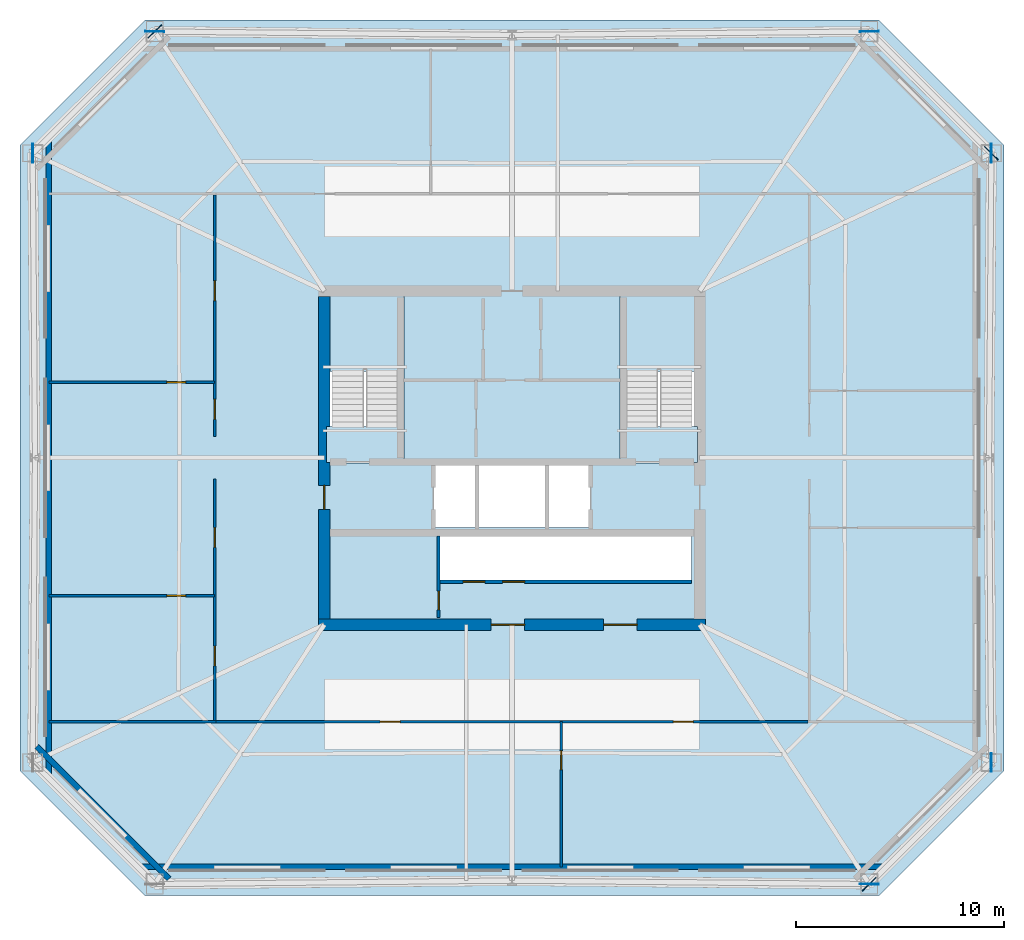
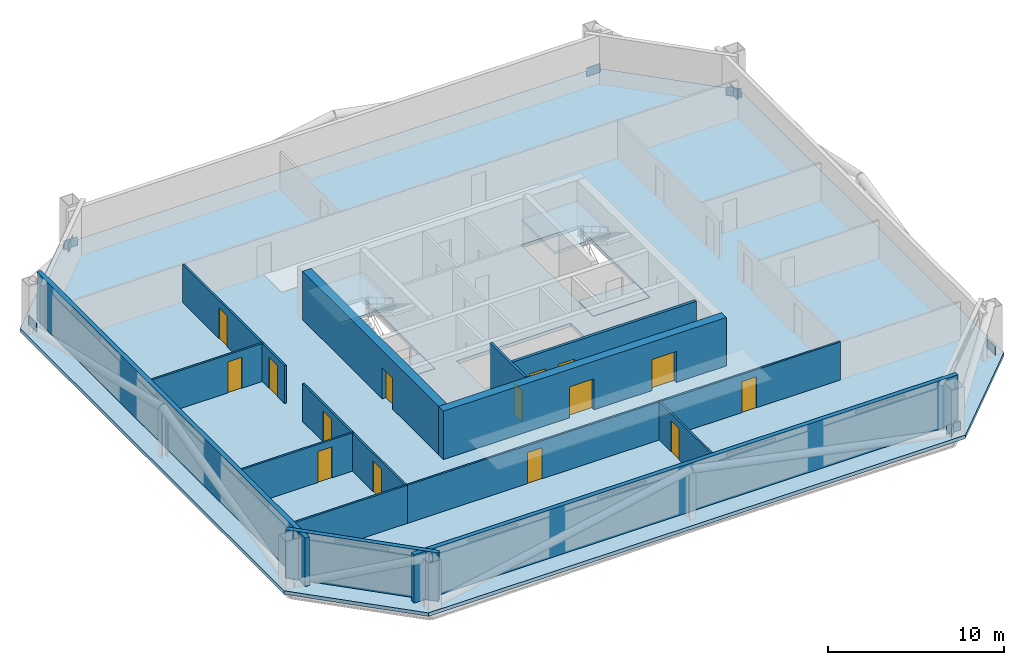
# One storey, part 2 of 6: 15 doors, 14 walls, 9 plates, 5 slabs, 15 openings, 2 elements without a shape of their own.
"""IFC4 building model written with IfcOpenShell, lengths in metres."""

from ifc_helpers import new_model, si_unit, direction, frame, frame_2d, origin, origin_2d, place, context, subcontext, project, spatial, polyline, rectangle, outline, extrude, material, layer, layer_set, type_object, element, fill, aggregate, save


model = new_model("IFC4")

# Units and contexts
model_context = context("Model", 3, precision=1e-05, world=origin(), true_north=direction((0.0, 1.0)))
body_context = subcontext(model_context, "Body", "Model", "MODEL_VIEW")
ifc_project = project(units=[si_unit("LENGTHUNIT", "METRE"), si_unit("AREAUNIT", "SQUARE_METRE"), si_unit("VOLUMEUNIT", "CUBIC_METRE"), si_unit("PLANEANGLEUNIT", "RADIAN"), si_unit("MASSUNIT", "GRAM", prefix="KILO")], contexts=[model_context])

# Site, building, storey
site_placement = place(None, origin())
site = spatial("IfcSite", under=ifc_project, at=site_placement, CompositionType="ELEMENT")
building_placement = place(site_placement, origin())
building = spatial("IfcBuilding", under=site, at=building_placement, Name="Caelvoria Tower", CompositionType="ELEMENT")
storey_placement = place(building_placement, frame((0.0, 0.0, 116.800048828125)))
storey = spatial("IfcBuildingStorey", under=building, at=storey_placement, Name="L30", CompositionType="ELEMENT", Elevation=116.800048828125)

# Plates
ifc_material_1 = material(Name="Structural Steel ASTM A572 Gr.50", Category="steel")
ifc_layer_1 = layer(ifc_material_1, 0.0400390625, Name="Structural Steel ASTM A572 Gr.50")
ifc_layer_set_1 = layer_set([ifc_layer_1], Name="Megaframe Node Gusset Plate 900x600x40 - Structural Steel ASTM A572 Gr.50")
plate_type = type_object("IfcPlateType", Name="Megaframe Node Gusset Plate 900x600x40", PredefinedType="USERDEFINED", material=ifc_layer_set_1)
for number, where, z_axis, x_axis, name in (
    (1, (63.137451171875, 11.5517578125, 0.02001953125), (0.0, 0.0, 1.0), (0.708345997589, 0.705865389221, 0.0), "Chamfer Mega Brace Gusset L30 SE"),
    (2, (68.992431640625, 46.61376953125, 0.02001953125), (0.0, 0.0, 1.0), (-0.708345997589, 0.705865389221, 0.0), "Chamfer Mega Brace Gusset L30 NE"),
    (3, (28.862548828125, 52.4482421875, 0.02001953125), (0.0, 0.0, 1.0), (-0.708345997589, -0.705865389221, 0.0), "Chamfer Mega Brace Gusset L30 NW"),
    (4, (63.137451171875, 11.5517578125, 0.0498046875), (0.0, 0.0, 1.0), (-0.999951843222, 0.009813828847, 0.0), "Megaframe Node Gusset Plate ND-01"),
    (5, (68.992431640625, 17.38623046875, 0.0498046875), (0.0, 0.0, 1.0), (-0.007691590172, 0.999970419283, 0.0), "Megaframe Node Gusset Plate ND-01"),
    (6, (68.992431640625, 46.61376953125, 0.0498046875), (0.0, 0.0, 1.0), (-0.007691590172, -0.999970419283, 0.0), "Megaframe Node Gusset Plate ND-01"),
    (7, (63.137451171875, 52.4482421875, 0.0498046875), (0.0, 0.0, 1.0), (-0.999951843222, -0.009813828847, 0.0), "Megaframe Node Gusset Plate ND-01"),
    (8, (28.862548828125, 52.4482421875, 0.0498046875), (0.0, 0.0, 1.0), (0.999951843222, -0.009813828847, 0.0), "Megaframe Node Gusset Plate ND-01"),
    (9, (23.007568359375, 46.61376953125, 0.0498046875), (0.0, 0.0, 1.0), (0.007691590172, -0.999970419283, 0.0), "Megaframe Node Gusset Plate ND-01"),
):
    element("IfcPlate", number, at=place(storey_placement, frame(where, z_axis=z_axis, x_axis=x_axis)), inside=storey, type_object=plate_type, Name=name, ObjectType="GUSSET_PLATE", PredefinedType="USERDEFINED", context=body_context, shape_type="SweptSolid", body=[
        extrude(rectangle(XDim=0.89990234375, YDim=0.0400390625, at=origin_2d()), origin(), (0.0, 0.0, 1.0), 0.60009765625),
    ])

# Stair, slabs
ifc_material_2 = material(Name="Concrete C40/50", Category="concrete")
stair_type = type_object("IfcStairType", Name="Core Smokeproof Dogleg Stair Concrete C40/50", PredefinedType="HALF_TURN_STAIR", material=ifc_material_2)
stair_1_placement = place(storey_placement, origin())
stair_1 = element("IfcStair", 10, at=stair_1_placement, inside=storey, type_object=stair_type, Name="ST-01 Smokeproof Exit Stair L30", PredefinedType="HALF_TURN_STAIR")
ifc_layer_2 = layer(ifc_material_2, 0.199951171875, Name="Concrete C40/50")
ifc_layer_set_2 = layer_set([ifc_layer_2], Name="Stair Half and Floor Landing Slab 200 Concrete C40/50 - Concrete C40/50")
slab_type_1 = type_object("IfcSlabType", Name="Stair Half and Floor Landing Slab 200 Concrete C40/50", PredefinedType="LANDING", material=ifc_layer_set_2)
slab_1_placement = place(storey_placement, frame((0.0, 0.0, -0.199951171875)))
slab_1 = element("IfcSlab", 11, at=slab_1_placement, type_object=slab_type_1, Name="ST-01 landing 1", PredefinedType="LANDING", context=body_context, shape_type="SweptSolid", body=[
    extrude(outline(polyline([(37.10009765625, 31.77001953125), (40.800048828125, 31.77001953125), (40.800048828125, 33.5), (37.10009765625, 33.5), (37.10009765625, 31.77001953125)])), origin(), (0.0, 0.0, 1.0), 0.199951171875),
])
slab_2_placement = place(storey_placement, frame((0.0, 0.0, 1.599853515625)))
slab_2 = element("IfcSlab", 12, at=slab_2_placement, type_object=slab_type_1, Name="ST-01 landing 2", PredefinedType="LANDING", context=body_context, shape_type="SweptSolid", body=[
    extrude(outline(polyline([(37.10009765625, 36.14990234375), (40.800048828125, 36.14990234375), (40.800048828125, 39.89990234375), (37.10009765625, 39.89990234375), (37.10009765625, 36.14990234375)])), origin(), (0.0, 0.0, 1.0), 0.2001953125),
])
aggregate(stair_1, [slab_1, slab_2])

stair_2_placement = place(storey_placement, origin())
stair_2 = element("IfcStair", 13, at=stair_2_placement, inside=storey, type_object=stair_type, Name="ST-02 Smokeproof Exit Stair L30", PredefinedType="HALF_TURN_STAIR")
slab_3_placement = place(storey_placement, frame((0.0, 0.0, -0.199951171875)))
slab_3 = element("IfcSlab", 14, at=slab_3_placement, type_object=slab_type_1, Name="ST-02 landing 1", PredefinedType="LANDING", context=body_context, shape_type="SweptSolid", body=[
    extrude(outline(polyline([(51.199951171875, 31.77001953125), (54.89990234375, 31.77001953125), (54.89990234375, 33.5), (51.199951171875, 33.5), (51.199951171875, 31.77001953125)])), origin(), (0.0, 0.0, 1.0), 0.199951171875),
])
slab_4_placement = place(storey_placement, frame((0.0, 0.0, 1.599853515625)))
slab_4 = element("IfcSlab", 15, at=slab_4_placement, type_object=slab_type_1, Name="ST-02 landing 2", PredefinedType="LANDING", context=body_context, shape_type="SweptSolid", body=[
    extrude(outline(polyline([(51.199951171875, 36.14990234375), (54.89990234375, 36.14990234375), (54.89990234375, 39.89990234375), (51.199951171875, 39.89990234375), (51.199951171875, 36.14990234375)])), origin(), (0.0, 0.0, 1.0), 0.2001953125),
])
aggregate(stair_2, [slab_3, slab_4])

# Slab
ifc_layer_3 = layer(ifc_material_2, 0.239990234375, Name="Concrete C40/50")
ifc_layer_set_3 = layer_set([ifc_layer_3], Name="Tower Composite Office Slab 240 - Concrete C40/50")
slab_type_2 = type_object("IfcSlabType", Name="Tower Composite Office Slab 240", PredefinedType="FLOOR", material=ifc_layer_set_3)
slab_5_placement = place(storey_placement, frame((0.0, 0.0, -0.239990234375)))
element("IfcSlab", 16, at=slab_5_placement, inside=storey, type_object=slab_type_2, Name="Level L30 Structural Floor Slab", PredefinedType="FLOOR", context=body_context, shape_type="SweptSolid", body=[
    extrude(outline(polyline([(28.39990234375, 11.0), (63.60009765625, 11.0), (69.60009765625, 17.0), (69.60009765625, 47.0), (63.60009765625, 53.0), (28.39990234375, 53.0), (22.39990234375, 47.0), (22.39990234375, 17.0), (28.39990234375, 11.0)]), holes=[polyline([(37.080078125, 31.75), (40.820068359375, 31.75), (40.820068359375, 39.919921875), (37.080078125, 39.919921875), (37.080078125, 31.75)]), polyline([(51.179931640625, 31.75), (54.919921875, 31.75), (54.919921875, 39.919921875), (51.179931640625, 39.919921875), (51.179931640625, 31.75)]), polyline([(42.25, 28.64990234375), (49.75, 28.64990234375), (49.75, 31.800048828125), (42.25, 31.800048828125), (42.25, 28.64990234375)]), polyline([(42.550048828125, 26.14990234375), (54.60009765625, 26.14990234375), (54.60009765625, 28.25), (42.550048828125, 28.25), (42.550048828125, 26.14990234375)])]), origin(), (0.0, 0.0, 1.0), 0.239990234375),
])

# Wall, opening, door
ifc_material_3 = material(Name="Double Gypsum Board on Steel Stud", Category="steel")
ifc_layer_4 = layer(ifc_material_3, 0.14990234375, Name="Double Gypsum Board on Steel Stud")
ifc_layer_set_4 = layer_set([ifc_layer_4], Name="Core Service Acoustic Partition Wall 150 - Double Gypsum Board on Steel Stud")
wall_type_1 = type_object("IfcWallType", Name="Core Service Acoustic Partition Wall 150", PredefinedType="PARTITIONING", material=ifc_layer_set_4)
wall_1_placement = place(storey_placement, frame((42.47998046875, 24.35009765625, 0.0), z_axis=(0.0, 0.0, 1.0), x_axis=(0.0, 1.0, 0.0)))
wall_1 = element("IfcWall", 17, at=wall_1_placement, inside=storey, type_object=wall_type_1, Name="Interior Partition IW-L30-RECL1E", PredefinedType="PARTITIONING", context=body_context, shape_type="SweptSolid", body=[
    extrude(rectangle(XDim=3.89990234375, YDim=0.14990234375, at=frame_2d((1.949951171875, 0.0))), origin(), (0.0, 0.0, 1.0), 3.35986328125),
])
opening_1_placement = place(wall_1_placement, frame((0.35009765625, 0.0, 0.0)))
opening_1 = element("IfcOpeningElement", 18, at=opening_1_placement, cuts=wall_1, Name="Opening ID-04", PredefinedType="OPENING", context=body_context, shape_type="SweptSolid", body=[
    extrude(rectangle(XDim=0.89990234375, YDim=2.14990234375, at=frame_2d((0.449951171875, 1.074951171875))), frame((0.0, 0.0849609375, 0.0), z_axis=(0.0, -1.0, 0.0), x_axis=(1.0, 0.0, 0.0)), (0.0, 0.0, 1.0), 0.169921875),
])
ifc_material_4 = material(Name="Acoustic Timber Fire Door", Category="wood")
door_type_1 = type_object("IfcDoorType", Name="Fire Door FD30S 900x2150", OperationType="NOTDEFINED", PredefinedType="DOOR", material=ifc_material_4)
door_1_placement = place(opening_1_placement, origin())
door_1 = element("IfcDoor", 19, at=door_1_placement, inside=storey, type_object=door_type_1, Name="Interior Door DR-L30-RECL1", OperationType="SINGLE_SWING_LEFT", OverallHeight=2.14990234375, OverallWidth=0.89990234375, PredefinedType="DOOR", context=body_context, shape_type="SweptSolid", body=[
    extrude(rectangle(XDim=0.89990234375, YDim=2.14990234375, at=frame_2d((0.449951171875, 1.074951171875))), frame((0.0, 0.02490234375, 0.0), z_axis=(0.0, -1.0, 0.0), x_axis=(1.0, 0.0, 0.0)), (0.0, 0.0, 1.0), 0.050048828125),
])
fill(opening_1, door_1)

# Walls
ifc_material_5 = material(Name="Precast Concrete C40/50 with Bronze Cladding", Category="concrete")
ifc_layer_5 = layer(ifc_material_5, 0.280029296875, Name="Precast Concrete C40/50 with Bronze Cladding")
ifc_layer_set_5 = layer_set([ifc_layer_5], Name="Exterior Precast Concrete C40/50 Bronze-Clad Facade Wall 280 - Precast Concrete C40/50 with Bronze Cladding")
wall_type_2 = type_object("IfcWallType", Name="Exterior Precast Concrete C40/50 Bronze-Clad Facade Wall 280", PredefinedType="STANDARD", material=ifc_layer_set_5)
wall_2_placement = place(storey_placement, frame((28.159912109375, 12.3798828125, 0.0), z_axis=(0.0, 0.0, 1.0), x_axis=(1.0, 0.0, 0.0)))
element("IfcWall", 20, at=wall_2_placement, inside=storey, type_object=wall_type_2, Name="Exterior Facade Wall L30-E0", PredefinedType="STANDARD", context=body_context, shape_type="SweptSolid", body=[
    extrude(rectangle(XDim=35.68017578125, YDim=0.280029296875, at=frame_2d((17.840087890625, 0.0))), origin(), (0.0, 0.0, 1.0), 3.35986328125),
])
wall_3_placement = place(storey_placement, frame((23.780029296875, 47.239990234375, 0.0), z_axis=(0.0, 0.0, 1.0), x_axis=(0.0, -1.0, 0.0)))
element("IfcWall", 21, at=wall_3_placement, inside=storey, type_object=wall_type_2, Name="Exterior Facade Wall L30-E6", PredefinedType="STANDARD", context=body_context, shape_type="SweptSolid", body=[
    extrude(rectangle(XDim=30.47998046875, YDim=0.280029296875, at=frame_2d((15.239990234375, 0.0))), origin(), (0.0, 0.0, 1.0), 3.35986328125),
])
wall_4_placement = place(storey_placement, frame((23.2060546875, 18.1455078125, 0.0), z_axis=(0.0, 0.0, 1.0), x_axis=(0.707106781187, -0.707106781187, 0.0)))
element("IfcWall", 22, at=wall_4_placement, inside=storey, type_object=wall_type_2, Name="Exterior Facade Wall L30-E7", PredefinedType="STANDARD", context=body_context, shape_type="SweptSolid", body=[
    extrude(rectangle(XDim=8.965087890625, YDim=0.280029296875, at=frame_2d((4.482421875, 0.0))), origin(), (0.0, 0.0, 1.0), 3.35986328125),
])

# Wall, openings, doors
ifc_material_6 = material(Name="Concrete Block and Fireboard Assembly", Category="concrete")
ifc_layer_6 = layer(ifc_material_6, 0.179931640625, Name="Concrete Block and Fireboard Assembly")
ifc_layer_set_6 = layer_set([ifc_layer_6], Name="Fire-Rated Hoistway Partition Wall 180 - Concrete Block and Fireboard Assembly")
wall_type_3 = type_object("IfcWallType", Name="Fire-Rated Hoistway Partition Wall 180", PredefinedType="PARTITIONING", material=ifc_layer_set_6)
wall_5_placement = place(storey_placement, frame((42.550048828125, 26.050048828125, 0.0), z_axis=(0.0, 0.0, 1.0), x_axis=(1.0, 0.0, 0.0)))
wall_5 = element("IfcWall", 23, at=wall_5_placement, inside=storey, type_object=wall_type_3, Name="Interior Partition IW-L30-LFRONT", PredefinedType="PARTITIONING", context=body_context, shape_type="SweptSolid", body=[
    extrude(rectangle(XDim=12.050048828125, YDim=0.179931640625, at=frame_2d((6.02490234375, 0.0))), origin(), (0.0, 0.0, 1.0), 3.35986328125),
])
opening_2_placement = place(wall_5_placement, frame((1.10009765625, 0.0, 0.0)))
opening_2 = element("IfcOpeningElement", 24, at=opening_2_placement, cuts=wall_5, Name="Opening LD-01", PredefinedType="OPENING", context=body_context, shape_type="SweptSolid", body=[
    extrude(rectangle(XDim=1.050048828125, YDim=2.14990234375, at=frame_2d((0.52490234375, 1.074951171875))), frame((0.0, 0.099853515625, 0.0), z_axis=(0.0, -1.0, 0.0), x_axis=(1.0, 0.0, 0.0)), (0.0, 0.0, 1.0), 0.199951171875),
])
opening_3_placement = place(wall_5_placement, frame((3.0, 0.0, 0.0)))
opening_3 = element("IfcOpeningElement", 25, at=opening_3_placement, cuts=wall_5, Name="Opening LD-01", PredefinedType="OPENING", context=body_context, shape_type="SweptSolid", body=[
    extrude(rectangle(XDim=1.050048828125, YDim=2.14990234375, at=frame_2d((0.52490234375, 1.074951171875))), frame((0.0, 0.099853515625, 0.0), z_axis=(0.0, -1.0, 0.0), x_axis=(1.0, 0.0, 0.0)), (0.0, 0.0, 1.0), 0.199951171875),
])
ifc_material_7 = material(Name="Brushed Bronze Stainless Sliding Landing Door", Category="aluminium")
door_type_2 = type_object("IfcDoorType", Name="Lift Landing Sliding Door 1100x2150", OperationType="NOTDEFINED", PredefinedType="DOOR", material=ifc_material_7)
door_2_placement = place(opening_2_placement, origin())
door_2 = element("IfcDoor", 26, at=door_2_placement, inside=storey, type_object=door_type_2, Name="Interior Door LD-L30-PM1", OperationType="SLIDING_TO_LEFT", OverallHeight=2.14990234375, OverallWidth=1.050048828125, PredefinedType="DOOR", context=body_context, shape_type="SweptSolid", body=[
    extrude(rectangle(XDim=1.050048828125, YDim=2.14990234375, at=frame_2d((0.52490234375, 1.074951171875))), frame((0.0, 0.02490234375, 0.0), z_axis=(0.0, -1.0, 0.0), x_axis=(1.0, 0.0, 0.0)), (0.0, 0.0, 1.0), 0.050048828125),
])
fill(opening_2, door_2)
door_3_placement = place(opening_3_placement, origin())
door_3 = element("IfcDoor", 27, at=door_3_placement, inside=storey, type_object=door_type_2, Name="Interior Door LD-L30-PM2", OperationType="SLIDING_TO_RIGHT", OverallHeight=2.14990234375, OverallWidth=1.050048828125, PredefinedType="DOOR", context=body_context, shape_type="SweptSolid", body=[
    extrude(rectangle(XDim=1.050048828125, YDim=2.14990234375, at=frame_2d((0.52490234375, 1.074951171875))), frame((0.0, 0.02490234375, 0.0), z_axis=(0.0, -1.0, 0.0), x_axis=(1.0, 0.0, 0.0)), (0.0, 0.0, 1.0), 0.050048828125),
])
fill(opening_3, door_3)

ifc_material_8 = material(Name="Concrete C55/67", Category="concrete")
ifc_layer_7 = layer(ifc_material_8, 0.550048828125, Name="Concrete C55/67")
ifc_layer_set_7 = layer_set([ifc_layer_7], Name="Mid Core Shear Wall 550 - Concrete C55/67")
wall_type_4 = type_object("IfcWallType", Name="Mid Core Shear Wall 550", PredefinedType="SHEAR", material=ifc_layer_set_7)
wall_6_placement = place(storey_placement, frame((36.72509765625, 24.0, 0.0), z_axis=(0.0, 0.0, 1.0), x_axis=(1.0, 0.0, 0.0)))
wall_6 = element("IfcWall", 28, at=wall_6_placement, inside=storey, type_object=wall_type_4, Name="Core Shear Wall L30 S", PredefinedType="SHEAR", context=body_context, shape_type="SweptSolid", body=[
    extrude(rectangle(XDim=18.5498046875, YDim=0.550048828125, at=frame_2d((9.27490234375, 0.0))), origin(), (0.0, 0.0, 1.0), 3.35986328125),
])
opening_4_placement = place(wall_6_placement, frame((8.27490234375, 0.0, 0.0)))
opening_4 = element("IfcOpeningElement", 29, at=opening_4_placement, cuts=wall_6, Name="Opening ID-08", PredefinedType="OPENING", context=body_context, shape_type="SweptSolid", body=[
    extrude(rectangle(XDim=1.60009765625, YDim=2.14990234375, at=frame_2d((0.800048828125, 1.074951171875))), frame((0.0, 0.284912109375, 0.0), z_axis=(0.0, -1.0, 0.0), x_axis=(1.0, 0.0, 0.0)), (0.0, 0.0, 1.0), 0.570068359375),
])
opening_5_placement = place(wall_6_placement, frame((13.675048828125, 0.0, 0.0)))
opening_5 = element("IfcOpeningElement", 30, at=opening_5_placement, cuts=wall_6, Name="Opening ID-08", PredefinedType="OPENING", context=body_context, shape_type="SweptSolid", body=[
    extrude(rectangle(XDim=1.60009765625, YDim=2.14990234375, at=frame_2d((0.800048828125, 1.074951171875))), frame((0.0, 0.284912109375, 0.0), z_axis=(0.0, -1.0, 0.0), x_axis=(1.0, 0.0, 0.0)), (0.0, 0.0, 1.0), 0.570068359375),
])
ifc_material_9 = material(Name="Bronze-Framed Fire-Rated Glazed Double Door", Category="aluminium")
door_type_3 = type_object("IfcDoorType", Name="Double Lobby Glazed Door 1600x2200", OperationType="NOTDEFINED", PredefinedType="DOOR", material=ifc_material_9)
door_4_placement = place(opening_4_placement, origin())
door_4 = element("IfcDoor", 31, at=door_4_placement, inside=storey, type_object=door_type_3, Name="Core Door DR-L30-LLOB-S1", OperationType="DOUBLE_DOOR_SINGLE_SWING", OverallHeight=2.14990234375, OverallWidth=1.60009765625, PredefinedType="DOOR", context=body_context, shape_type="SweptSolid", body=[
    extrude(rectangle(XDim=1.60009765625, YDim=2.14990234375, at=frame_2d((0.800048828125, 1.074951171875))), frame((0.0, 0.02490234375, 0.0), z_axis=(0.0, -1.0, 0.0), x_axis=(1.0, 0.0, 0.0)), (0.0, 0.0, 1.0), 0.050048828125),
])
fill(opening_4, door_4)
door_5_placement = place(opening_5_placement, origin())
door_5 = element("IfcDoor", 32, at=door_5_placement, inside=storey, type_object=door_type_3, Name="Core Door DR-L30-LLOB-S2", OperationType="DOUBLE_DOOR_SINGLE_SWING", OverallHeight=2.14990234375, OverallWidth=1.60009765625, PredefinedType="DOOR", context=body_context, shape_type="SweptSolid", body=[
    extrude(rectangle(XDim=1.60009765625, YDim=2.14990234375, at=frame_2d((0.800048828125, 1.074951171875))), frame((0.0, 0.02490234375, 0.0), z_axis=(0.0, -1.0, 0.0), x_axis=(1.0, 0.0, 0.0)), (0.0, 0.0, 1.0), 0.050048828125),
])
fill(opening_5, door_5)

# Wall, opening, door
wall_7_placement = place(storey_placement, frame((37.0, 24.27490234375, 0.0), z_axis=(0.0, 0.0, 1.0), x_axis=(0.0, 1.0, 0.0)))
wall_7 = element("IfcWall", 33, at=wall_7_placement, inside=storey, type_object=wall_type_4, Name="Core Shear Wall L30 W", PredefinedType="SHEAR", context=body_context, shape_type="SweptSolid", body=[
    extrude(rectangle(XDim=15.4501953125, YDim=0.550048828125, at=frame_2d((7.72509765625, 0.0))), origin(), (0.0, 0.0, 1.0), 3.35986328125),
])
opening_6_placement = place(wall_7_placement, frame((5.25, 0.0, 0.0)))
opening_6 = element("IfcOpeningElement", 34, at=opening_6_placement, cuts=wall_7, Name="Opening ID-02", PredefinedType="OPENING", context=body_context, shape_type="SweptSolid", body=[
    extrude(rectangle(XDim=1.14990234375, YDim=2.14990234375, at=frame_2d((0.574951171875, 1.074951171875))), frame((0.0, 0.284912109375, 0.0), z_axis=(0.0, -1.0, 0.0), x_axis=(1.0, 0.0, 0.0)), (0.0, 0.0, 1.0), 0.570068359375),
])
ifc_material_10 = material(Name="Painted Hollow Steel Fire Door", Category="steel")
door_type_4 = type_object("IfcDoorType", Name="Fire Door FD60S 1150x2150", OperationType="NOTDEFINED", PredefinedType="DOOR", material=ifc_material_10)
door_6_placement = place(opening_6_placement, origin())
door_6 = element("IfcDoor", 35, at=door_6_placement, inside=storey, type_object=door_type_4, Name="Core Door DR-L30-FFLW-OUT", OperationType="SINGLE_SWING_LEFT", OverallHeight=2.14990234375, OverallWidth=1.14990234375, PredefinedType="DOOR", context=body_context, shape_type="SweptSolid", body=[
    extrude(rectangle(XDim=1.14990234375, YDim=2.14990234375, at=frame_2d((0.574951171875, 1.074951171875))), frame((0.0, 0.02490234375, 0.0), z_axis=(0.0, -1.0, 0.0), x_axis=(1.0, 0.0, 0.0)), (0.0, 0.0, 1.0), 0.050048828125),
])
fill(opening_6, door_6)

ifc_material_11 = material(Name="Acoustic Gypsum Board on Light-Gauge Stud", Category="gypsum")
ifc_layer_8 = layer(ifc_material_11, 0.1201171875, Name="Acoustic Gypsum Board on Light-Gauge Stud")
ifc_layer_set_8 = layer_set([ifc_layer_8], Name="Tenant Suite Acoustic Partition Wall 120 - Acoustic Gypsum Board on Light-Gauge Stud")
wall_type_5 = type_object("IfcWallType", Name="Tenant Suite Acoustic Partition Wall 120", PredefinedType="PARTITIONING", material=ifc_layer_set_8)
wall_8_placement = place(storey_placement, frame((48.366455078125, 19.340087890625, 0.0), z_axis=(0.0, 0.0, 1.0), x_axis=(0.0, -1.0, 0.0)))
wall_8 = element("IfcWall", 36, at=wall_8_placement, inside=storey, type_object=wall_type_5, Name="Interior Partition IW-L30-SD-00-0", PredefinedType="PARTITIONING", context=body_context, shape_type="SweptSolid", body=[
    extrude(rectangle(XDim=6.960205078125, YDim=0.1201171875, at=frame_2d((3.47998046875, 0.0))), origin(), (0.0, 0.0, 1.0), 2.639892578125),
])
opening_7_placement = place(wall_8_placement, frame((1.39990234375, 0.0, 0.0)))
opening_7 = element("IfcOpeningElement", 37, at=opening_7_placement, cuts=wall_8, Name="Opening ID-06", PredefinedType="OPENING", context=body_context, shape_type="SweptSolid", body=[
    extrude(rectangle(XDim=0.89990234375, YDim=2.14990234375, at=frame_2d((0.449951171875, 1.074951171875))), frame((0.0, 0.070068359375, 0.0), z_axis=(0.0, -1.0, 0.0), x_axis=(1.0, 0.0, 0.0)), (0.0, 0.0, 1.0), 0.14013671875),
])
ifc_material_12 = material(Name="Engineered Andean Oak Veneer Door", Category="wood")
door_type_5 = type_object("IfcDoorType", Name="Interior Timber Door 900x2150", OperationType="NOTDEFINED", PredefinedType="DOOR", material=ifc_material_12)
door_7_placement = place(opening_7_placement, origin())
door_7 = element("IfcDoor", 38, at=door_7_placement, inside=storey, type_object=door_type_5, Name="Interior Door DR-L30-SM-00-0", OperationType="SINGLE_SWING_RIGHT", OverallHeight=2.14990234375, OverallWidth=0.89990234375, PredefinedType="DOOR", context=body_context, shape_type="SweptSolid", body=[
    extrude(rectangle(XDim=0.89990234375, YDim=2.14990234375, at=frame_2d((0.449951171875, 1.074951171875))), frame((0.0, 0.02490234375, 0.0), z_axis=(0.0, -1.0, 0.0), x_axis=(1.0, 0.0, 0.0)), (0.0, 0.0, 1.0), 0.050048828125),
])
fill(opening_7, door_7)

# Wall, openings, doors
wall_9_placement = place(storey_placement, frame((31.800048828125, 19.340087890625, 0.0), z_axis=(0.0, 0.0, 1.0), x_axis=(1.0, 0.0, 0.0)))
wall_9 = element("IfcWall", 39, at=wall_9_placement, inside=storey, type_object=wall_type_5, Name="Interior Partition IW-L30-SCW-0", PredefinedType="PARTITIONING", context=body_context, shape_type="SweptSolid", body=[
    extrude(rectangle(XDim=28.39990234375, YDim=0.1201171875, at=frame_2d((14.199951171875, 0.0))), origin(), (0.0, 0.0, 1.0), 2.639892578125),
])
opening_8_placement = place(wall_9_placement, frame((7.878173828125, 0.0, 0.0)))
opening_8 = element("IfcOpeningElement", 40, at=opening_8_placement, cuts=wall_9, Name="Opening ID-05", PredefinedType="OPENING", context=body_context, shape_type="SweptSolid", body=[
    extrude(rectangle(XDim=0.949951171875, YDim=2.14990234375, at=frame_2d((0.47509765625, 1.074951171875))), frame((0.0, 0.070068359375, 0.0), z_axis=(0.0, -1.0, 0.0), x_axis=(1.0, 0.0, 0.0)), (0.0, 0.0, 1.0), 0.14013671875),
])
opening_9_placement = place(wall_9_placement, frame((21.938232421875, 0.0, 0.0)))
opening_9 = element("IfcOpeningElement", 41, at=opening_9_placement, cuts=wall_9, Name="Opening ID-05", PredefinedType="OPENING", context=body_context, shape_type="SweptSolid", body=[
    extrude(rectangle(XDim=0.949951171875, YDim=2.14990234375, at=frame_2d((0.47509765625, 1.074951171875))), frame((0.0, 0.070068359375, 0.0), z_axis=(0.0, -1.0, 0.0), x_axis=(1.0, 0.0, 0.0)), (0.0, 0.0, 1.0), 0.14013671875),
])
door_type_6 = type_object("IfcDoorType", Name="Interior Timber Door 950x2150", OperationType="NOTDEFINED", PredefinedType="DOOR", material=ifc_material_12)
door_8_placement = place(opening_8_placement, origin())
door_8 = element("IfcDoor", 42, at=door_8_placement, inside=storey, type_object=door_type_6, Name="Interior Door DR-L30-SC-00-0", OperationType="SINGLE_SWING_LEFT", OverallHeight=2.14990234375, OverallWidth=0.949951171875, PredefinedType="DOOR", context=body_context, shape_type="SweptSolid", body=[
    extrude(rectangle(XDim=0.949951171875, YDim=2.14990234375, at=frame_2d((0.47509765625, 1.074951171875))), frame((0.0, 0.02490234375, 0.0), z_axis=(0.0, -1.0, 0.0), x_axis=(1.0, 0.0, 0.0)), (0.0, 0.0, 1.0), 0.050048828125),
])
fill(opening_8, door_8)
door_9_placement = place(opening_9_placement, origin())
door_9 = element("IfcDoor", 43, at=door_9_placement, inside=storey, type_object=door_type_6, Name="Interior Door DR-L30-SC-01-0", OperationType="SINGLE_SWING_RIGHT", OverallHeight=2.14990234375, OverallWidth=0.949951171875, PredefinedType="DOOR", context=body_context, shape_type="SweptSolid", body=[
    extrude(rectangle(XDim=0.949951171875, YDim=2.14990234375, at=frame_2d((0.47509765625, 1.074951171875))), frame((0.0, 0.02490234375, 0.0), z_axis=(0.0, -1.0, 0.0), x_axis=(1.0, 0.0, 0.0)), (0.0, 0.0, 1.0), 0.050048828125),
])
fill(opening_9, door_9)

# Wall, opening, door
wall_10_placement = place(storey_placement, frame((31.739990234375, 25.382568359375, 0.0), z_axis=(0.0, 0.0, 1.0), x_axis=(-1.0, 0.0, 0.0)))
wall_10 = element("IfcWall", 44, at=wall_10_placement, inside=storey, type_object=wall_type_5, Name="Interior Partition IW-L30-WD-00-0", PredefinedType="PARTITIONING", context=body_context, shape_type="SweptSolid", body=[
    extrude(rectangle(XDim=7.9599609375, YDim=0.1201171875, at=frame_2d((3.97998046875, 0.0))), origin(), (0.0, 0.0, 1.0), 2.639892578125),
])
opening_10_placement = place(wall_10_placement, frame((1.39990234375, 0.0, 0.0)))
opening_10 = element("IfcOpeningElement", 45, at=opening_10_placement, cuts=wall_10, Name="Opening ID-06", PredefinedType="OPENING", context=body_context, shape_type="SweptSolid", body=[
    extrude(rectangle(XDim=0.89990234375, YDim=2.14990234375, at=frame_2d((0.449951171875, 1.074951171875))), frame((0.0, 0.070068359375, 0.0), z_axis=(0.0, -1.0, 0.0), x_axis=(1.0, 0.0, 0.0)), (0.0, 0.0, 1.0), 0.14013671875),
])
door_10_placement = place(opening_10_placement, origin())
door_10 = element("IfcDoor", 46, at=door_10_placement, inside=storey, type_object=door_type_5, Name="Interior Door DR-L30-WM-00-0", OperationType="SINGLE_SWING_RIGHT", OverallHeight=2.14990234375, OverallWidth=0.89990234375, PredefinedType="DOOR", context=body_context, shape_type="SweptSolid", body=[
    extrude(rectangle(XDim=0.89990234375, YDim=2.14990234375, at=frame_2d((0.449951171875, 1.074951171875))), frame((0.0, 0.02490234375, 0.0), z_axis=(0.0, -1.0, 0.0), x_axis=(1.0, 0.0, 0.0)), (0.0, 0.0, 1.0), 0.050048828125),
])
fill(opening_10, door_10)

wall_11_placement = place(storey_placement, frame((31.739990234375, 35.62255859375, 0.0), z_axis=(0.0, 0.0, 1.0), x_axis=(-1.0, 0.0, 0.0)))
wall_11 = element("IfcWall", 47, at=wall_11_placement, inside=storey, type_object=wall_type_5, Name="Interior Partition IW-L30-WD-01-0", PredefinedType="PARTITIONING", context=body_context, shape_type="SweptSolid", body=[
    extrude(rectangle(XDim=7.9599609375, YDim=0.1201171875, at=frame_2d((3.97998046875, 0.0))), origin(), (0.0, 0.0, 1.0), 2.639892578125),
])
opening_11_placement = place(wall_11_placement, frame((1.39990234375, 0.0, 0.0)))
opening_11 = element("IfcOpeningElement", 48, at=opening_11_placement, cuts=wall_11, Name="Opening ID-06", PredefinedType="OPENING", context=body_context, shape_type="SweptSolid", body=[
    extrude(rectangle(XDim=0.89990234375, YDim=2.14990234375, at=frame_2d((0.449951171875, 1.074951171875))), frame((0.0, 0.070068359375, 0.0), z_axis=(0.0, -1.0, 0.0), x_axis=(1.0, 0.0, 0.0)), (0.0, 0.0, 1.0), 0.14013671875),
])
door_11_placement = place(opening_11_placement, origin())
door_11 = element("IfcDoor", 49, at=door_11_placement, inside=storey, type_object=door_type_5, Name="Interior Door DR-L30-WM-01-0", OperationType="SINGLE_SWING_LEFT", OverallHeight=2.14990234375, OverallWidth=0.89990234375, PredefinedType="DOOR", context=body_context, shape_type="SweptSolid", body=[
    extrude(rectangle(XDim=0.89990234375, YDim=2.14990234375, at=frame_2d((0.449951171875, 1.074951171875))), frame((0.0, 0.02490234375, 0.0), z_axis=(0.0, -1.0, 0.0), x_axis=(1.0, 0.0, 0.0)), (0.0, 0.0, 1.0), 0.050048828125),
])
fill(opening_11, door_11)

# Wall, openings, doors
wall_12_placement = place(storey_placement, frame((31.739990234375, 19.39990234375, 0.0), z_axis=(0.0, 0.0, 1.0), x_axis=(0.0, 1.0, 0.0)))
wall_12 = element("IfcWall", 50, at=wall_12_placement, inside=storey, type_object=wall_type_5, Name="Interior Partition IW-L30-WCW-0", PredefinedType="PARTITIONING", context=body_context, shape_type="SweptSolid", body=[
    extrude(rectangle(XDim=11.580078125, YDim=0.1201171875, at=frame_2d((5.7900390625, 0.0))), origin(), (0.0, 0.0, 1.0), 2.639892578125),
])
opening_12_placement = place(wall_12_placement, frame((2.6162109375, 0.0, 0.0)))
opening_12 = element("IfcOpeningElement", 51, at=opening_12_placement, cuts=wall_12, Name="Opening ID-05", PredefinedType="OPENING", context=body_context, shape_type="SweptSolid", body=[
    extrude(rectangle(XDim=0.949951171875, YDim=2.14990234375, at=frame_2d((0.47509765625, 1.074951171875))), frame((0.0, 0.070068359375, 0.0), z_axis=(0.0, -1.0, 0.0), x_axis=(1.0, 0.0, 0.0)), (0.0, 0.0, 1.0), 0.14013671875),
])
opening_13_placement = place(wall_12_placement, frame((8.306396484375, 0.0, 0.0)))
opening_13 = element("IfcOpeningElement", 52, at=opening_13_placement, cuts=wall_12, Name="Opening ID-05", PredefinedType="OPENING", context=body_context, shape_type="SweptSolid", body=[
    extrude(rectangle(XDim=0.949951171875, YDim=2.14990234375, at=frame_2d((0.47509765625, 1.074951171875))), frame((0.0, 0.070068359375, 0.0), z_axis=(0.0, -1.0, 0.0), x_axis=(1.0, 0.0, 0.0)), (0.0, 0.0, 1.0), 0.14013671875),
])
door_12_placement = place(opening_12_placement, origin())
door_12 = element("IfcDoor", 53, at=door_12_placement, inside=storey, type_object=door_type_6, Name="Interior Door DR-L30-WC-00-0", OperationType="SINGLE_SWING_LEFT", OverallHeight=2.14990234375, OverallWidth=0.949951171875, PredefinedType="DOOR", context=body_context, shape_type="SweptSolid", body=[
    extrude(rectangle(XDim=0.949951171875, YDim=2.14990234375, at=frame_2d((0.47509765625, 1.074951171875))), frame((0.0, 0.02490234375, 0.0), z_axis=(0.0, -1.0, 0.0), x_axis=(1.0, 0.0, 0.0)), (0.0, 0.0, 1.0), 0.050048828125),
])
fill(opening_12, door_12)
door_13_placement = place(opening_13_placement, origin())
door_13 = element("IfcDoor", 54, at=door_13_placement, inside=storey, type_object=door_type_6, Name="Interior Door DR-L30-WC-01-1", OperationType="SINGLE_SWING_LEFT", OverallHeight=2.14990234375, OverallWidth=0.949951171875, PredefinedType="DOOR", context=body_context, shape_type="SweptSolid", body=[
    extrude(rectangle(XDim=0.949951171875, YDim=2.14990234375, at=frame_2d((0.47509765625, 1.074951171875))), frame((0.0, 0.02490234375, 0.0), z_axis=(0.0, -1.0, 0.0), x_axis=(1.0, 0.0, 0.0)), (0.0, 0.0, 1.0), 0.050048828125),
])
fill(opening_13, door_13)

wall_13_placement = place(storey_placement, frame((31.739990234375, 33.02001953125, 0.0), z_axis=(0.0, 0.0, 1.0), x_axis=(0.0, 1.0, 0.0)))
wall_13 = element("IfcWall", 55, at=wall_13_placement, inside=storey, type_object=wall_type_5, Name="Interior Partition IW-L30-WCW-1", PredefinedType="PARTITIONING", context=body_context, shape_type="SweptSolid", body=[
    extrude(rectangle(XDim=11.580078125, YDim=0.1201171875, at=frame_2d((5.7900390625, 0.0))), origin(), (0.0, 0.0, 1.0), 2.639892578125),
])
opening_14_placement = place(wall_13_placement, frame((0.826416015625, 0.0, 0.0)))
opening_14 = element("IfcOpeningElement", 56, at=opening_14_placement, cuts=wall_13, Name="Opening ID-05", PredefinedType="OPENING", context=body_context, shape_type="SweptSolid", body=[
    extrude(rectangle(XDim=0.949951171875, YDim=2.14990234375, at=frame_2d((0.47509765625, 1.074951171875))), frame((0.0, 0.070068359375, 0.0), z_axis=(0.0, -1.0, 0.0), x_axis=(1.0, 0.0, 0.0)), (0.0, 0.0, 1.0), 0.14013671875),
])
opening_15_placement = place(wall_13_placement, frame((6.516357421875, 0.0, 0.0)))
opening_15 = element("IfcOpeningElement", 57, at=opening_15_placement, cuts=wall_13, Name="Opening ID-05", PredefinedType="OPENING", context=body_context, shape_type="SweptSolid", body=[
    extrude(rectangle(XDim=0.949951171875, YDim=2.14990234375, at=frame_2d((0.47509765625, 1.074951171875))), frame((0.0, 0.070068359375, 0.0), z_axis=(0.0, -1.0, 0.0), x_axis=(1.0, 0.0, 0.0)), (0.0, 0.0, 1.0), 0.14013671875),
])
door_14_placement = place(opening_14_placement, origin())
door_14 = element("IfcDoor", 58, at=door_14_placement, inside=storey, type_object=door_type_6, Name="Interior Door DR-L30-WC-01-0", OperationType="SINGLE_SWING_RIGHT", OverallHeight=2.14990234375, OverallWidth=0.949951171875, PredefinedType="DOOR", context=body_context, shape_type="SweptSolid", body=[
    extrude(rectangle(XDim=0.949951171875, YDim=2.14990234375, at=frame_2d((0.47509765625, 1.074951171875))), frame((0.0, 0.02490234375, 0.0), z_axis=(0.0, -1.0, 0.0), x_axis=(1.0, 0.0, 0.0)), (0.0, 0.0, 1.0), 0.050048828125),
])
fill(opening_14, door_14)
door_15_placement = place(opening_15_placement, origin())
door_15 = element("IfcDoor", 59, at=door_15_placement, inside=storey, type_object=door_type_6, Name="Interior Door DR-L30-WC-02-0", OperationType="SINGLE_SWING_LEFT", OverallHeight=2.14990234375, OverallWidth=0.949951171875, PredefinedType="DOOR", context=body_context, shape_type="SweptSolid", body=[
    extrude(rectangle(XDim=0.949951171875, YDim=2.14990234375, at=frame_2d((0.47509765625, 1.074951171875))), frame((0.0, 0.02490234375, 0.0), z_axis=(0.0, -1.0, 0.0), x_axis=(1.0, 0.0, 0.0)), (0.0, 0.0, 1.0), 0.050048828125),
])
fill(opening_15, door_15)

# Wall
wall_14_placement = place(storey_placement, frame((31.800048828125, 19.340087890625, 0.0), z_axis=(0.0, 0.0, 1.0), x_axis=(-1.0, 0.0, 0.0)))
element("IfcWall", 60, at=wall_14_placement, inside=storey, type_object=wall_type_5, Name="Interior Partition IW-L30-BSW-0", PredefinedType="PARTITIONING", context=body_context, shape_type="SweptSolid", body=[
    extrude(rectangle(XDim=8.02001953125, YDim=0.1201171875, at=frame_2d((4.010009765625, 0.0))), origin(), (0.0, 0.0, 1.0), 2.639892578125),
])

save(model, "model.ifc")
